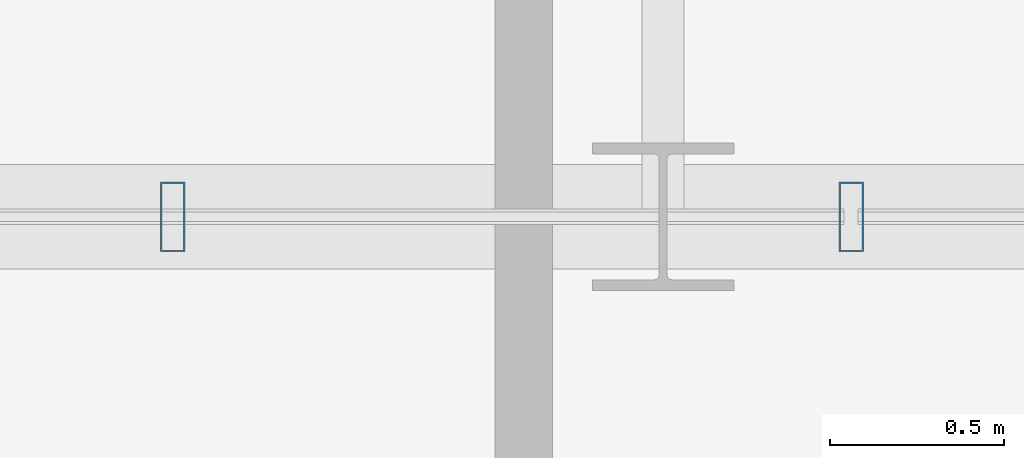
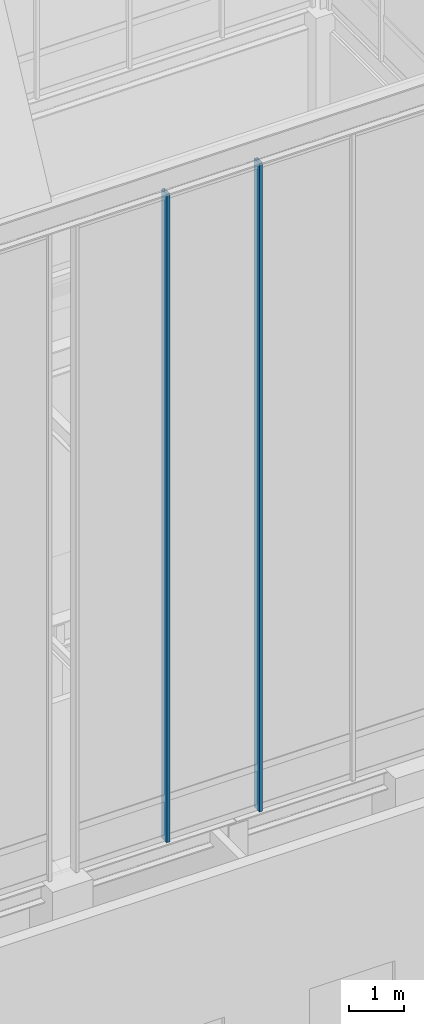
# One storey, part 15 of 49: 2 members, 1 element without a shape of its own.
"""IFC4 building model written with IfcOpenShell, lengths in metres."""

from ifc_helpers import new_model, si_unit, direction, frame, origin, origin_2d, place, context, subcontext, project, spatial, hollow_rectangle, extrude, source, transform, mapped, material, layer, layer_set, material_profile, profile_set, type_object, element, aggregate, save


model = new_model("IFC4")

# Units and contexts
model_context = context("Model", 3, precision=1e-05, world=origin(), true_north=direction((0.0, 1.0)))
body_context = subcontext(model_context, "Body", "Model", "MODEL_VIEW")
ifc_project = project(units=[si_unit("LENGTHUNIT", "METRE"), si_unit("AREAUNIT", "SQUARE_METRE"), si_unit("VOLUMEUNIT", "CUBIC_METRE"), si_unit("PLANEANGLEUNIT", "RADIAN"), si_unit("MASSUNIT", "GRAM", prefix="KILO")], contexts=[model_context])

# Site, building, storey
site_placement = place(None, origin())
site = spatial("IfcSite", under=ifc_project, at=site_placement, CompositionType="ELEMENT")
building_placement = place(site_placement, origin())
building = spatial("IfcBuilding", under=site, at=building_placement, Name="Kaliganga Portal Commons", CompositionType="ELEMENT")
storey_placement = place(building_placement, frame((0.0, 0.0, 298.0)))
storey = spatial("IfcBuildingStorey", under=building, at=storey_placement, Name="L77", CompositionType="ELEMENT", Elevation=298.0)

# Curtain wall, members
ifc_material_1 = material(Name="Anodized Aluminium and Laminated Low-E Glass", Category="aluminium")
ifc_layer = layer(ifc_material_1, 0.25)
ifc_layer_set = layer_set([ifc_layer], Name="Anodized Aluminium and Laminated Low-E Glass")
curtain_wall_type = type_object("IfcCurtainWallType", Name="CW-SYS-06", PredefinedType="NOTDEFINED", material=ifc_layer_set)
curtain_wall_placement = place(storey_placement, origin())
curtain_wall = element("IfcCurtainWall", 1, at=curtain_wall_placement, inside=storey, type_object=curtain_wall_type, Name="CW 06 L77 SE", PredefinedType="NOTDEFINED")
ifc_material_2 = material(Name="Dark Bronze Anodized Aluminium", Category="aluminium")
ifc_material_profile = material_profile(ifc_material_2, hollow_rectangle(XDim=0.070068359375, YDim=0.199951171875, WallThickness=0.00390625, at=origin_2d()), Name="ALU MULL 70x200x4")
ifc_profile_set = profile_set([ifc_material_profile], Name="Dark Bronze Anodized Aluminium")
member_type = type_object("IfcMemberType", Name="CW-MUL-220", PredefinedType="MULLION", material=ifc_profile_set)
shared_shape = source(origin(), body_context, "Body", "SweptSolid", [
    extrude(hollow_rectangle(XDim=0.070068359375, YDim=0.199951171875, WallThickness=0.00390625, at=origin_2d()), origin(), (0.0, 0.0, 1.0), 14.39990234375),
])
member_1_placement = place(storey_placement, frame((30.994384765625, 21.60009765625, 6.0), z_axis=(0.0, 0.0, 1.0), x_axis=(1.0, 0.0, 0.0)))
member_1 = element("IfcMember", 2, at=member_1_placement, type_object=member_type, Name="CW:06:L77:SE Mullion 01", PredefinedType="MULLION", context=body_context, shape_type="MappedRepresentation", body=[
    mapped(shared_shape, transform((0.0, 0.0, 0.0), x_axis=(1.0, 0.0, 0.0), y_axis=(0.0, 1.0, 0.0), z_axis=(0.0, 0.0, 1.0), scale=1.0)),
])
member_2_placement = place(storey_placement, frame((32.93896484375, 21.60009765625, 6.0), z_axis=(0.0, 0.0, 1.0), x_axis=(1.0, 0.0, 0.0)))
member_2 = element("IfcMember", 3, at=member_2_placement, type_object=member_type, Name="CW:06:L77:SE Mullion 02", PredefinedType="MULLION", context=body_context, shape_type="MappedRepresentation", body=[
    mapped(shared_shape, transform((0.0, 0.0, 0.0), x_axis=(1.0, 0.0, 0.0), y_axis=(0.0, 1.0, 0.0), z_axis=(0.0, 0.0, 1.0), scale=1.0)),
])
aggregate(curtain_wall, [member_1, member_2])

save(model, "model.ifc")
